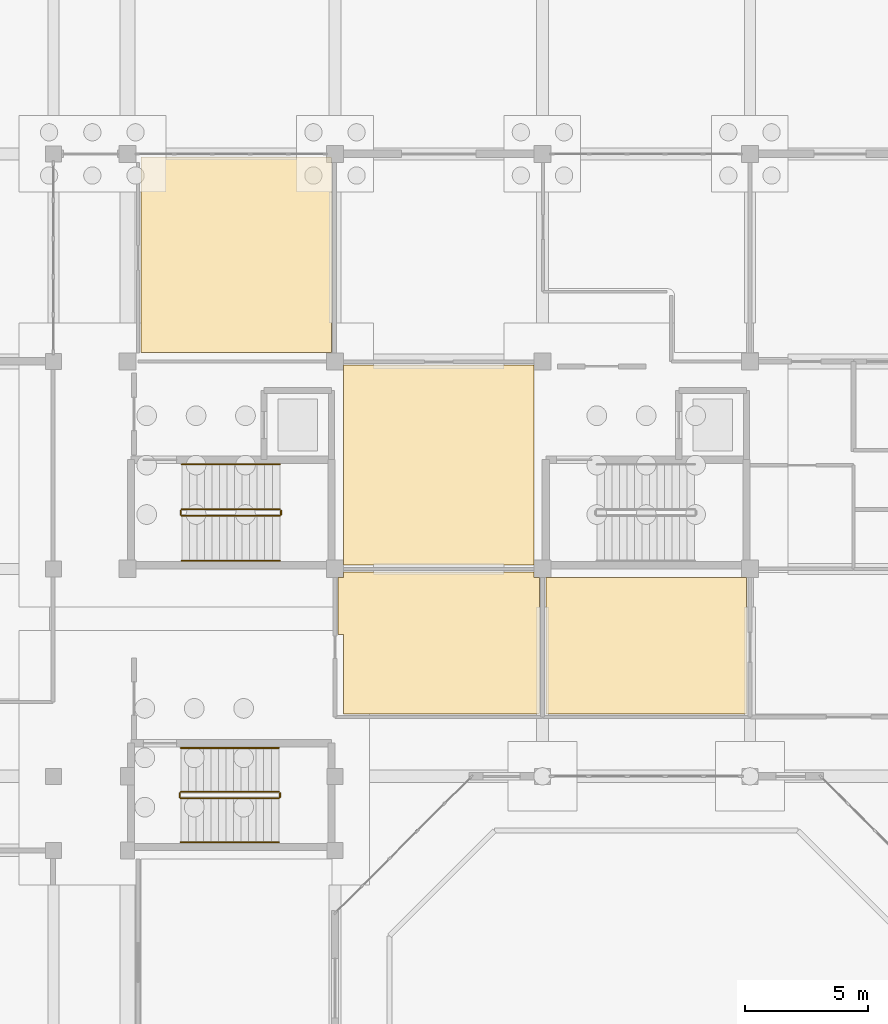
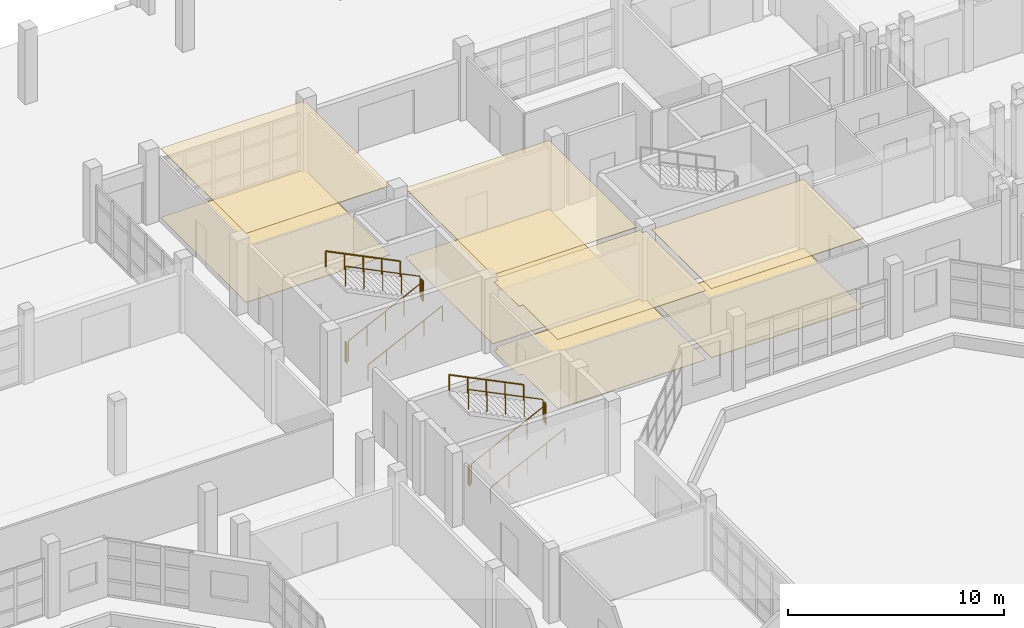
# One storey, part 83 of 88: 12 railings, 8 coverings.
"""IFC4 building model written with IfcOpenShell, lengths in metres."""

import ifcopenshell
import ifcopenshell.guid

model = None  # the IFC model being written
_history = None  # IfcOwnerHistory: only IFC2X3 demands one
_inside = {}  # id of a spatial element -> (the spatial element, [elements in it])
_under = {}  # id of a project, library or spatial element -> (it, [spatial elements below it])
_declared = {}  # id of a project -> (the project, [libraries it declares])
_typed = {}  # id of a type object -> (the type object, [elements of that type])
_made_of = {}  # id of a material, layer set ... -> (it, [elements and type objects made of it])


def new_model(schema):
    """Start an empty IFC model of exactly this schema.

    Asked for "IFC4X3", IfcOpenShell would pick the latest addendum, in which some entities
    have other attributes; the version numbers below select the first issue.
    IFC2X3 requires an IfcOwnerHistory on every rooted entity: one is made here for all.
    """
    global model, _history
    if schema == "IFC4X3":
        model = ifcopenshell.file(schema_version=(4, 3, 0, 0))
    else:
        model = ifcopenshell.file(schema=schema)
    _inside.clear()
    _under.clear()
    _declared.clear()
    _typed.clear()
    _made_of.clear()
    _history = None
    if model.schema == "IFC2X3":
        org = make("IfcOrganization", Name="unknown")
        user = make(
            "IfcPersonAndOrganization",
            ThePerson=make("IfcPerson", FamilyName="unknown"),
            TheOrganization=org,
        )
        app = make(
            "IfcApplication",
            ApplicationDeveloper=org,
            Version="unknown",
            ApplicationFullName="unknown",
            ApplicationIdentifier="unknown",
        )
        _history = make(
            "IfcOwnerHistory",
            OwningUser=user,
            OwningApplication=app,
            ChangeAction="ADDED",
            CreationDate=0,
        )
    return model


def make(cls, **values):
    """One entity of the class cls with the attributes given. An attribute that is None is left unset."""
    return model.create_entity(
        cls, **{name: value for name, value in values.items() if value is not None}
    )


def rooted(cls, **values):
    """An entity with a GlobalId (a new one), such as an element, a storey or a relation."""
    return make(cls, GlobalId=ifcopenshell.guid.new(), OwnerHistory=_history, **values)


def si_unit(unit_type, name, prefix=None):
    """IfcSIUnit, for example si_unit("LENGTHUNIT", "METRE", prefix="MILLI")."""
    return make("IfcSIUnit", UnitType=unit_type, Prefix=prefix, Name=name)


def assignment(units):
    """IfcUnitAssignment: the units of a project."""
    return None if units is None else make("IfcUnitAssignment", Units=units)


def point(xyz):
    """IfcCartesianPoint."""
    return None if xyz is None else make("IfcCartesianPoint", Coordinates=xyz)


def direction(xyz):
    """IfcDirection."""
    return None if xyz is None else make("IfcDirection", DirectionRatios=xyz)


def frame(location, z_axis=None, x_axis=None):
    """IfcAxis2Placement3D, a coordinate frame: its origin and axes. An axis left out is left unset."""
    return make(
        "IfcAxis2Placement3D",
        Location=point(location),
        Axis=direction(z_axis),
        RefDirection=direction(x_axis),
    )


def frame_2d(location, x_axis=None):
    """IfcAxis2Placement2D, a coordinate frame in the plane: its origin and x axis."""
    return make(
        "IfcAxis2Placement2D", Location=point(location), RefDirection=direction(x_axis)
    )


def origin():
    """The frame at (0, 0, 0) with its axes left unset."""
    return frame((0.0, 0.0, 0.0))


def origin_2d():
    """The frame at (0, 0) in the plane with its x axis left unset."""
    return frame_2d((0.0, 0.0))


def place(relative_to, where):
    """IfcLocalPlacement: puts the frame where relative to a parent placement (None: the world)."""
    return make(
        "IfcLocalPlacement", PlacementRelTo=relative_to, RelativePlacement=where
    )


def context(
    kind, dimensions, precision=None, world=None, true_north=None, identifier=None
):
    """IfcGeometricRepresentationContext, for example the 3D "Model" context."""
    return make(
        "IfcGeometricRepresentationContext",
        ContextIdentifier=identifier,
        ContextType=kind,
        CoordinateSpaceDimension=dimensions,
        Precision=precision,
        WorldCoordinateSystem=world,
        TrueNorth=true_north,
    )


def subcontext(parent, identifier, kind, view, scale=None):
    """IfcGeometricRepresentationSubContext, for example "Body" below "Model"."""
    return make(
        "IfcGeometricRepresentationSubContext",
        ContextIdentifier=identifier,
        ContextType=kind,
        ParentContext=parent,
        TargetScale=scale,
        TargetView=view,
    )


def project(units=None, contexts=None):
    """IfcProject with its units and contexts."""
    return rooted(
        "IfcProject",
        Name="project",
        RepresentationContexts=contexts,
        UnitsInContext=assignment(units),
    )


def spatial(cls, under=None, at=None, **own):
    """A site, building, storey or space (cls), placed at a placement, below another one or the project."""
    s = rooted(cls, ObjectPlacement=at, **own)
    if under is not None:
        _under.setdefault(under.id(), (under, []))[1].append(s)
    return s


def polyline(points):
    """IfcPolyline through the points."""
    return make("IfcPolyline", Points=[point(p) for p in points])


def profile(cls, at=None, kind="AREA", **sizes):
    """A parametric profile (cls). Its sizes go by their IFC names, for example OverallWidth=200.0."""
    return make(cls, ProfileType=kind, Position=at, **sizes)


def circle(**sizes):
    """IfcCircleProfileDef."""
    return profile("IfcCircleProfileDef", **sizes)


def outline(outer, holes=None, kind="AREA"):
    """IfcArbitraryClosedProfileDef: a profile drawn as a closed curve; with holes, ...WithVoids."""
    if holes is None:
        return make("IfcArbitraryClosedProfileDef", ProfileType=kind, OuterCurve=outer)
    return make(
        "IfcArbitraryProfileDefWithVoids",
        ProfileType=kind,
        OuterCurve=outer,
        InnerCurves=holes,
    )


def extrude(swept, where, along, depth):
    """IfcExtrudedAreaSolid: the profile swept, set in the frame where, extruded along a direction by depth."""
    return make(
        "IfcExtrudedAreaSolid",
        SweptArea=swept,
        Position=where,
        ExtrudedDirection=direction(along),
        Depth=depth,
    )


def shape(context_of_items, identifier, shape_type, items):
    """IfcShapeRepresentation: the items that make up one representation, for example the "Body"."""
    return make(
        "IfcShapeRepresentation",
        ContextOfItems=context_of_items,
        RepresentationIdentifier=identifier,
        RepresentationType=shape_type,
        Items=items,
    )


def material(Name=None, Category=None):
    """IfcMaterial."""
    return make("IfcMaterial", Name=Name, Category=Category)


def layer(
    of_material, thickness, ventilated=None, Name=None, Category=None, Priority=None
):
    """IfcMaterialLayer: one layer of a wall or slab, of a material (None: an air gap)."""
    return make(
        "IfcMaterialLayer",
        Material=of_material,
        LayerThickness=thickness,
        IsVentilated=ventilated,
        Name=Name,
        Category=Category,
        Priority=Priority,
    )


def layer_set(layers, Name=None):
    """IfcMaterialLayerSet."""
    return make("IfcMaterialLayerSet", MaterialLayers=layers, LayerSetName=Name)


def made_of(thing, what):
    """Note that an element or type object is made of a material, layer set ...; save() writes the relation."""
    if what is not None:
        _made_of.setdefault(what.id(), (what, []))[1].append(thing)
    return thing


def type_object(cls, material=None, **own):
    """A type object (cls), such as IfcWallType, which elements share."""
    return made_of(rooted(cls, **own), material)


def element(
    cls,
    number,
    at=None,
    inside=None,
    cuts=None,
    type_object=None,
    material=None,
    context=None,
    identifier="Body",
    shape_type=None,
    held_by="IfcProductDefinitionShape",
    body=None,
    shapes=None,
    **own,
):
    """One element of the class cls, such as IfcWall. Its Tag is "e" and its number.

    at: its placement. inside: the storey or other place that contains it. cuts: it is an
    opening in that element (IfcRelVoidsElement). A single representation is given by context,
    identifier, shape_type and body (its items); several are given by shapes. held_by: the class
    of the entity that holds the representations. save() writes the other relations.
    """
    e = rooted(cls, Tag="e%d" % number, ObjectPlacement=at, **own)
    if body is not None:
        shapes = [shape(context, identifier, shape_type, body)]
    if shapes is not None:
        e.Representation = make(held_by, Representations=shapes)
    if inside is not None:
        _inside.setdefault(inside.id(), (inside, []))[1].append(e)
    if cuts is not None:
        rooted(
            "IfcRelVoidsElement", RelatingBuildingElement=cuts, RelatedOpeningElement=e
        )
    if type_object is not None:
        _typed.setdefault(type_object.id(), (type_object, []))[1].append(e)
    return made_of(e, material)


def aggregate(whole, parts):
    """IfcRelAggregates: a whole, such as a stair, and the parts it consists of."""
    return rooted("IfcRelAggregates", RelatingObject=whole, RelatedObjects=parts)


def save(model, path):
    """Write the relations noted so far, then the file.

    IfcRelAggregates (storeys below a building ...), IfcRelContainedInSpatialStructure (elements
    in a storey), IfcRelDefinesByType, IfcRelAssociatesMaterial and IfcRelDeclares: one each for
    every whole, place, type object, material and project.
    """
    for whole, parts in _under.values():
        aggregate(whole, parts)
    for where, things in _inside.values():
        rooted(
            "IfcRelContainedInSpatialStructure",
            RelatedElements=things,
            RelatingStructure=where,
        )
    for kind, things in _typed.values():
        rooted("IfcRelDefinesByType", RelatedObjects=things, RelatingType=kind)
    for what, things in _made_of.values():
        rooted("IfcRelAssociatesMaterial", RelatedObjects=things, RelatingMaterial=what)
    for by, libraries in _declared.values():
        rooted("IfcRelDeclares", RelatingContext=by, RelatedDefinitions=libraries)
    model.write(path)


model = new_model("IFC4")

# Units and contexts
model_context = context("Model", 3, precision=1e-05, world=origin(), true_north=direction((0.0, 1.0)))
body_context = subcontext(model_context, "Body", "Model", "MODEL_VIEW")
ifc_project = project(units=[si_unit("LENGTHUNIT", "METRE"), si_unit("AREAUNIT", "SQUARE_METRE"), si_unit("VOLUMEUNIT", "CUBIC_METRE"), si_unit("PLANEANGLEUNIT", "RADIAN"), si_unit("MASSUNIT", "GRAM", prefix="KILO")], contexts=[model_context])

# Site, building, storey
site_placement = place(None, origin())
site = spatial("IfcSite", under=ifc_project, at=site_placement, CompositionType="ELEMENT")
building_placement = place(site_placement, origin())
building = spatial("IfcBuilding", under=site, at=building_placement, Name="Vanh Quang Courtyard School", CompositionType="ELEMENT")
storey_placement = place(building_placement, origin())
storey = spatial("IfcBuildingStorey", under=building, at=storey_placement, Name="L00", CompositionType="ELEMENT", Elevation=0.0)

# Coverings
ifc_material_1 = material(Name="Perforated mineral-fibre acoustic ceiling board")
ifc_layer_1 = layer(ifc_material_1, 0.02490234375)
ifc_layer_set_1 = layer_set([ifc_layer_1], Name="Perforated mineral-fibre acoustic ceiling board")
covering_type_1 = type_object("IfcCoveringType", Name="COV-CEIL-ACOUSTIC", PredefinedType="CEILING", material=ifc_layer_set_1)
covering_1_placement = place(storey_placement, frame((0.0, 0.0, 3.89501953125)))
element("IfcCovering", 1, at=covering_1_placement, inside=storey, type_object=covering_type_1, Name="Covering CV-CL1 (L00)", PredefinedType="CEILING", context=body_context, shape_type="SweptSolid", body=[
    extrude(outline(polyline([(77.949951171875, 96.4599609375), (77.949951171875, 96.4609375), (77.9501953125, 96.4619140625), (77.950439453125, 96.462890625), (77.95068359375, 96.4638671875), (77.951171875, 96.464599609375), (77.95166015625, 96.465576171875), (77.952392578125, 96.46630859375), (77.952880859375, 96.467041015625), (77.95361328125, 96.4677734375), (77.954345703125, 96.46826171875), (77.955322265625, 96.46875), (77.956298828125, 96.46923828125), (77.95703125, 96.469482421875), (77.9580078125, 96.4697265625), (77.958984375, 96.469970703125), (77.9599609375, 96.469970703125), (85.639892578125, 96.469970703125), (85.64111328125, 96.469970703125), (85.64208984375, 96.4697265625), (85.642822265625, 96.469482421875), (85.643798828125, 96.46923828125), (85.644775390625, 96.46875), (85.6455078125, 96.46826171875), (85.646240234375, 96.4677734375), (85.647216796875, 96.467041015625), (85.647705078125, 96.46630859375), (85.648193359375, 96.465576171875), (85.648681640625, 96.464599609375), (85.649169921875, 96.4638671875), (85.649658203125, 96.462890625), (85.64990234375, 96.4619140625), (85.64990234375, 96.4609375), (85.64990234375, 96.4599609375), (85.64990234375, 88.550048828125), (77.949951171875, 88.550048828125), (77.949951171875, 96.4599609375)])), origin(), (0.0, 0.0, 1.0), 0.02490234375),
])
covering_2_placement = place(storey_placement, frame((0.0, 0.0, 3.89501953125)))
element("IfcCovering", 2, at=covering_2_placement, inside=storey, type_object=covering_type_1, Name="Covering CV-CL1 (L00)", PredefinedType="CEILING", context=body_context, shape_type="SweptSolid", body=[
    extrude(outline(polyline([(85.929931640625, 79.449951171875), (86.14990234375, 79.449951171875), (86.14990234375, 79.669921875), (93.85009765625, 79.669921875), (93.85009765625, 79.449951171875), (94.070068359375, 79.449951171875), (94.070068359375, 73.93994140625), (94.070068359375, 73.93896484375), (94.06982421875, 73.93798828125), (94.069580078125, 73.93701171875), (94.069091796875, 73.936279296875), (94.06884765625, 73.935302734375), (94.068359375, 73.934326171875), (94.067626953125, 73.93359375), (94.067138671875, 73.932861328125), (94.06640625, 73.932373046875), (94.065673828125, 73.931640625), (94.064697265625, 73.93115234375), (94.063720703125, 73.930908203125), (94.06298828125, 73.930419921875), (94.06201171875, 73.93017578125), (94.06103515625, 73.929931640625), (94.06005859375, 73.929931640625), (86.14990234375, 73.929931640625), (86.14990234375, 77.14990234375), (85.929931640625, 77.14990234375), (85.929931640625, 79.449951171875)])), origin(), (0.0, 0.0, 1.0), 0.02490234375),
])
covering_3_placement = place(storey_placement, frame((0.0, 0.0, 3.89501953125)))
element("IfcCovering", 3, at=covering_3_placement, inside=storey, type_object=covering_type_1, Name="Covering CV-CL1 (L00)", PredefinedType="CEILING", context=body_context, shape_type="SweptSolid", body=[
    extrude(outline(polyline([(86.14990234375, 79.949951171875), (86.14990234375, 88.050048828125), (93.85009765625, 88.050048828125), (93.85009765625, 79.949951171875), (86.14990234375, 79.949951171875)])), origin(), (0.0, 0.0, 1.0), 0.02490234375),
])
covering_4_placement = place(storey_placement, frame((0.0, 0.0, 3.89501953125)))
element("IfcCovering", 4, at=covering_4_placement, inside=storey, type_object=covering_type_1, Name="Covering CV-CL1 (L00)", PredefinedType="CEILING", context=body_context, shape_type="SweptSolid", body=[
    extrude(outline(polyline([(94.360107421875, 73.929931640625), (94.35888671875, 73.929931640625), (94.35791015625, 73.93017578125), (94.357177734375, 73.930419921875), (94.356201171875, 73.930908203125), (94.355224609375, 73.93115234375), (94.3544921875, 73.931640625), (94.353759765625, 73.932373046875), (94.352783203125, 73.932861328125), (94.352294921875, 73.93359375), (94.351806640625, 73.934326171875), (94.351318359375, 73.935302734375), (94.350830078125, 73.936279296875), (94.350341796875, 73.93701171875), (94.35009765625, 73.93798828125), (94.35009765625, 73.93896484375), (94.35009765625, 73.93994140625), (94.35009765625, 79.449951171875), (102.469970703125, 79.449951171875), (102.469970703125, 73.93994140625), (102.469970703125, 73.93896484375), (102.4697265625, 73.93798828125), (102.469482421875, 73.93701171875), (102.46923828125, 73.936279296875), (102.46875, 73.935302734375), (102.46826171875, 73.934326171875), (102.4677734375, 73.93359375), (102.467041015625, 73.932861328125), (102.46630859375, 73.932373046875), (102.465576171875, 73.931640625), (102.464599609375, 73.93115234375), (102.4638671875, 73.930908203125), (102.462890625, 73.930419921875), (102.4619140625, 73.93017578125), (102.4609375, 73.929931640625), (102.4599609375, 73.929931640625), (94.360107421875, 73.929931640625)])), origin(), (0.0, 0.0, 1.0), 0.02490234375),
])
ifc_material_2 = material(Name="Polished cementitious terrazzo tile", Category="concrete")
ifc_layer_2 = layer(ifc_material_2, 0.02001953125)
ifc_layer_set_2 = layer_set([ifc_layer_2], Name="Polished cementitious terrazzo tile")
covering_type_2 = type_object("IfcCoveringType", Name="COV-FLR-TERRAZZO", PredefinedType="FLOORING", material=ifc_layer_set_2)
covering_5_placement = place(storey_placement, origin())
element("IfcCovering", 5, at=covering_5_placement, inside=storey, type_object=covering_type_2, Name="Covering CV-FL1 (L00)", PredefinedType="FLOORING", context=body_context, shape_type="SweptSolid", body=[
    extrude(outline(polyline([(77.949951171875, 96.4599609375), (77.949951171875, 96.4609375), (77.9501953125, 96.4619140625), (77.950439453125, 96.462890625), (77.95068359375, 96.4638671875), (77.951171875, 96.464599609375), (77.95166015625, 96.465576171875), (77.952392578125, 96.46630859375), (77.952880859375, 96.467041015625), (77.95361328125, 96.4677734375), (77.954345703125, 96.46826171875), (77.955322265625, 96.46875), (77.956298828125, 96.46923828125), (77.95703125, 96.469482421875), (77.9580078125, 96.4697265625), (77.958984375, 96.469970703125), (77.9599609375, 96.469970703125), (85.639892578125, 96.469970703125), (85.64111328125, 96.469970703125), (85.64208984375, 96.4697265625), (85.642822265625, 96.469482421875), (85.643798828125, 96.46923828125), (85.644775390625, 96.46875), (85.6455078125, 96.46826171875), (85.646240234375, 96.4677734375), (85.647216796875, 96.467041015625), (85.647705078125, 96.46630859375), (85.648193359375, 96.465576171875), (85.648681640625, 96.464599609375), (85.649169921875, 96.4638671875), (85.649658203125, 96.462890625), (85.64990234375, 96.4619140625), (85.64990234375, 96.4609375), (85.64990234375, 96.4599609375), (85.64990234375, 88.550048828125), (77.949951171875, 88.550048828125), (77.949951171875, 96.4599609375)])), origin(), (0.0, 0.0, 1.0), 0.02001953125),
])
covering_6_placement = place(storey_placement, origin())
element("IfcCovering", 6, at=covering_6_placement, inside=storey, type_object=covering_type_2, Name="Covering CV-FL1 (L00)", PredefinedType="FLOORING", context=body_context, shape_type="SweptSolid", body=[
    extrude(outline(polyline([(85.929931640625, 79.449951171875), (86.14990234375, 79.449951171875), (86.14990234375, 79.669921875), (93.85009765625, 79.669921875), (93.85009765625, 79.449951171875), (94.070068359375, 79.449951171875), (94.070068359375, 73.93994140625), (94.070068359375, 73.93896484375), (94.06982421875, 73.93798828125), (94.069580078125, 73.93701171875), (94.069091796875, 73.936279296875), (94.06884765625, 73.935302734375), (94.068359375, 73.934326171875), (94.067626953125, 73.93359375), (94.067138671875, 73.932861328125), (94.06640625, 73.932373046875), (94.065673828125, 73.931640625), (94.064697265625, 73.93115234375), (94.063720703125, 73.930908203125), (94.06298828125, 73.930419921875), (94.06201171875, 73.93017578125), (94.06103515625, 73.929931640625), (94.06005859375, 73.929931640625), (86.14990234375, 73.929931640625), (86.14990234375, 77.14990234375), (85.929931640625, 77.14990234375), (85.929931640625, 79.449951171875)])), origin(), (0.0, 0.0, 1.0), 0.02001953125),
])
covering_7_placement = place(storey_placement, origin())
element("IfcCovering", 7, at=covering_7_placement, inside=storey, type_object=covering_type_2, Name="Covering CV-FL1 (L00)", PredefinedType="FLOORING", context=body_context, shape_type="SweptSolid", body=[
    extrude(outline(polyline([(86.14990234375, 79.949951171875), (86.14990234375, 88.050048828125), (93.85009765625, 88.050048828125), (93.85009765625, 79.949951171875), (86.14990234375, 79.949951171875)])), origin(), (0.0, 0.0, 1.0), 0.02001953125),
])
covering_8_placement = place(storey_placement, origin())
element("IfcCovering", 8, at=covering_8_placement, inside=storey, type_object=covering_type_2, Name="Covering CV-FL1 (L00)", PredefinedType="FLOORING", context=body_context, shape_type="SweptSolid", body=[
    extrude(outline(polyline([(94.360107421875, 73.929931640625), (94.35888671875, 73.929931640625), (94.35791015625, 73.93017578125), (94.357177734375, 73.930419921875), (94.356201171875, 73.930908203125), (94.355224609375, 73.93115234375), (94.3544921875, 73.931640625), (94.353759765625, 73.932373046875), (94.352783203125, 73.932861328125), (94.352294921875, 73.93359375), (94.351806640625, 73.934326171875), (94.351318359375, 73.935302734375), (94.350830078125, 73.936279296875), (94.350341796875, 73.93701171875), (94.35009765625, 73.93798828125), (94.35009765625, 73.93896484375), (94.35009765625, 73.93994140625), (94.35009765625, 79.449951171875), (102.469970703125, 79.449951171875), (102.469970703125, 73.93994140625), (102.469970703125, 73.93896484375), (102.4697265625, 73.93798828125), (102.469482421875, 73.93701171875), (102.46923828125, 73.936279296875), (102.46875, 73.935302734375), (102.46826171875, 73.934326171875), (102.4677734375, 73.93359375), (102.467041015625, 73.932861328125), (102.46630859375, 73.932373046875), (102.465576171875, 73.931640625), (102.464599609375, 73.93115234375), (102.4638671875, 73.930908203125), (102.462890625, 73.930419921875), (102.4619140625, 73.93017578125), (102.4609375, 73.929931640625), (102.4599609375, 73.929931640625), (94.360107421875, 73.929931640625)])), origin(), (0.0, 0.0, 1.0), 0.02001953125),
])

# Railings
ifc_material_3 = material(Name="Galvanised painted steel EN 10025-2 S355J2", Category="steel")
railing_type_1 = type_object("IfcRailingType", Name="RAIL-GUARD-1150", PredefinedType="BALUSTRADE", material=ifc_material_3)
railing_1_placement = place(storey_placement, frame((79.60009765625, 81.949951171875, 0.14990234375)))
element("IfcRailing", 9, at=railing_1_placement, inside=storey, type_object=railing_type_1, Name="L00 ST-01 stair guard 1", PredefinedType="BALUSTRADE", context=body_context, shape_type="SweptSolid", body=[
    extrude(circle(Radius=0.02392578125, at=origin_2d()), frame((0.0, 0.0, 1.1259765625), z_axis=(0.897325572143, 0.0, 0.441369253096), x_axis=(0.0, 1.0, 0.0)), (0.0, 0.0, 1.0), 4.41845703125),
    extrude(circle(Radius=0.02099609375, at=origin_2d()), origin(), (0.0, 0.0, 1.0), 1.101806640625),
    extrude(circle(Radius=0.02099609375, at=origin_2d()), frame((0.9912109375, 0.0, 0.487548828125)), (0.0, 0.0, 1.0), 1.101806640625),
    extrude(circle(Radius=0.02099609375, at=origin_2d()), frame((1.982421875, 0.0, 0.97509765625)), (0.0, 0.0, 1.0), 1.101806640625),
    extrude(circle(Radius=0.02099609375, at=origin_2d()), frame((2.9736328125, 0.0, 1.462646484375)), (0.0, 0.0, 1.0), 1.101806640625),
    extrude(circle(Radius=0.02099609375, at=origin_2d()), frame((3.96484375, 0.0, 1.9501953125)), (0.0, 0.0, 1.0), 1.101806640625),
])
railing_2_placement = place(storey_placement, frame((83.614990234375, 82.0, 2.10009765625)))
element("IfcRailing", 10, at=railing_2_placement, inside=storey, type_object=railing_type_1, Name="L00 ST-01 stair guard 2", PredefinedType="BALUSTRADE", context=body_context, shape_type="SweptSolid", body=[
    extrude(circle(Radius=0.02392578125, at=origin_2d()), frame((0.0, 0.0, 1.1259765625), z_axis=(0.0, 1.0, 0.0), x_axis=(-1.0, 0.0, 0.0)), (0.0, 0.0, 1.0), 0.159912109375),
    extrude(circle(Radius=0.02099609375, at=origin_2d()), origin(), (0.0, 0.0, 1.0), 1.101806640625),
    extrude(circle(Radius=0.02099609375, at=origin_2d()), frame((0.0, 0.159912109375, 0.0)), (0.0, 0.0, 1.0), 1.101806640625),
])
railing_3_placement = place(storey_placement, frame((83.56494140625, 82.2099609375, 2.25)))
element("IfcRailing", 11, at=railing_3_placement, inside=storey, type_object=railing_type_1, Name="L00 ST-01 stair guard 3", PredefinedType="BALUSTRADE", context=body_context, shape_type="SweptSolid", body=[
    extrude(circle(Radius=0.02392578125, at=origin_2d()), frame((0.0, 0.0, 1.1259765625), z_axis=(-0.897347455041, 0.0, 0.441324761294), x_axis=(0.0, -1.0, 0.0)), (0.0, 0.0, 1.0), 4.41845703125),
    extrude(circle(Radius=0.02099609375, at=origin_2d()), origin(), (0.0, 0.0, 1.0), 1.101806640625),
    extrude(circle(Radius=0.02099609375, at=origin_2d()), frame((-0.9912109375, 0.0, 0.487548828125)), (0.0, 0.0, 1.0), 1.101806640625),
    extrude(circle(Radius=0.02099609375, at=origin_2d()), frame((-1.982421875, 0.0, 0.97509765625)), (0.0, 0.0, 1.0), 1.101806640625),
    extrude(circle(Radius=0.02099609375, at=origin_2d()), frame((-2.9736328125, 0.0, 1.46240234375)), (0.0, 0.0, 1.0), 1.101806640625),
    extrude(circle(Radius=0.02099609375, at=origin_2d()), frame((-3.96484375, 0.0, 1.949951171875)), (0.0, 0.0, 1.0), 1.101806640625),
])
railing_4_placement = place(storey_placement, frame((79.550048828125, 82.0, 0.0)))
element("IfcRailing", 12, at=railing_4_placement, inside=storey, type_object=railing_type_1, Name="L00 ST-01 stair guard 4", PredefinedType="BALUSTRADE", context=body_context, shape_type="SweptSolid", body=[
    extrude(circle(Radius=0.02392578125, at=origin_2d()), frame((0.0, 0.0, 1.1259765625), z_axis=(0.0, 1.0, 0.0), x_axis=(-1.0, 0.0, 0.0)), (0.0, 0.0, 1.0), 0.159912109375),
    extrude(circle(Radius=0.02099609375, at=origin_2d()), origin(), (0.0, 0.0, 1.0), 1.101806640625),
    extrude(circle(Radius=0.02099609375, at=origin_2d()), frame((0.0, 0.159912109375, 0.0)), (0.0, 0.0, 1.0), 1.101806640625),
])
railing_5_placement = place(storey_placement, frame((79.56005859375, 70.510009765625, 0.14990234375)))
element("IfcRailing", 13, at=railing_5_placement, inside=storey, type_object=railing_type_1, Name="L00 ST-05 stair guard 1", PredefinedType="BALUSTRADE", context=body_context, shape_type="SweptSolid", body=[
    extrude(circle(Radius=0.02392578125, at=origin_2d()), frame((0.0, 0.0, 1.1259765625), z_axis=(0.897325572143, 0.0, 0.441369253096), x_axis=(0.0, 1.0, 0.0)), (0.0, 0.0, 1.0), 4.41845703125),
    extrude(circle(Radius=0.02099609375, at=origin_2d()), origin(), (0.0, 0.0, 1.0), 1.101806640625),
    extrude(circle(Radius=0.02099609375, at=origin_2d()), frame((0.9912109375, 0.0, 0.487548828125)), (0.0, 0.0, 1.0), 1.101806640625),
    extrude(circle(Radius=0.02099609375, at=origin_2d()), frame((1.982421875, 0.0, 0.97509765625)), (0.0, 0.0, 1.0), 1.101806640625),
    extrude(circle(Radius=0.02099609375, at=origin_2d()), frame((2.9736328125, 0.0, 1.462646484375)), (0.0, 0.0, 1.0), 1.101806640625),
    extrude(circle(Radius=0.02099609375, at=origin_2d()), frame((3.96484375, 0.0, 1.9501953125)), (0.0, 0.0, 1.0), 1.101806640625),
])
railing_6_placement = place(storey_placement, frame((83.574951171875, 70.56005859375, 2.10009765625)))
element("IfcRailing", 14, at=railing_6_placement, inside=storey, type_object=railing_type_1, Name="L00 ST-05 stair guard 2", PredefinedType="BALUSTRADE", context=body_context, shape_type="SweptSolid", body=[
    extrude(circle(Radius=0.02392578125, at=origin_2d()), frame((0.0, 0.0, 1.1259765625), z_axis=(0.0, 1.0, 0.0), x_axis=(-1.0, 0.0, 0.0)), (0.0, 0.0, 1.0), 0.159912109375),
    extrude(circle(Radius=0.02099609375, at=origin_2d()), origin(), (0.0, 0.0, 1.0), 1.101806640625),
    extrude(circle(Radius=0.02099609375, at=origin_2d()), frame((0.0, 0.159912109375, 0.0)), (0.0, 0.0, 1.0), 1.101806640625),
])
railing_7_placement = place(storey_placement, frame((83.52490234375, 70.77001953125, 2.25)))
element("IfcRailing", 15, at=railing_7_placement, inside=storey, type_object=railing_type_1, Name="L00 ST-05 stair guard 3", PredefinedType="BALUSTRADE", context=body_context, shape_type="SweptSolid", body=[
    extrude(circle(Radius=0.02392578125, at=origin_2d()), frame((0.0, 0.0, 1.1259765625), z_axis=(-0.897347455041, 0.0, 0.441324761294), x_axis=(0.0, -1.0, 0.0)), (0.0, 0.0, 1.0), 4.41845703125),
    extrude(circle(Radius=0.02099609375, at=origin_2d()), origin(), (0.0, 0.0, 1.0), 1.101806640625),
    extrude(circle(Radius=0.02099609375, at=origin_2d()), frame((-0.9912109375, 0.0, 0.487548828125)), (0.0, 0.0, 1.0), 1.101806640625),
    extrude(circle(Radius=0.02099609375, at=origin_2d()), frame((-1.982421875, 0.0, 0.97509765625)), (0.0, 0.0, 1.0), 1.101806640625),
    extrude(circle(Radius=0.02099609375, at=origin_2d()), frame((-2.9736328125, 0.0, 1.46240234375)), (0.0, 0.0, 1.0), 1.101806640625),
    extrude(circle(Radius=0.02099609375, at=origin_2d()), frame((-3.96484375, 0.0, 1.949951171875)), (0.0, 0.0, 1.0), 1.101806640625),
])
railing_8_placement = place(storey_placement, frame((79.510009765625, 70.56005859375, 0.0)))
element("IfcRailing", 16, at=railing_8_placement, inside=storey, type_object=railing_type_1, Name="L00 ST-05 stair guard 4", PredefinedType="BALUSTRADE", context=body_context, shape_type="SweptSolid", body=[
    extrude(circle(Radius=0.02392578125, at=origin_2d()), frame((0.0, 0.0, 1.1259765625), z_axis=(0.0, 1.0, 0.0), x_axis=(-1.0, 0.0, 0.0)), (0.0, 0.0, 1.0), 0.159912109375),
    extrude(circle(Radius=0.02099609375, at=origin_2d()), origin(), (0.0, 0.0, 1.0), 1.101806640625),
    extrude(circle(Radius=0.02099609375, at=origin_2d()), frame((0.0, 0.159912109375, 0.0)), (0.0, 0.0, 1.0), 1.101806640625),
])
ifc_material_4 = material(Name="Brushed stainless steel", Category="steel")
railing_type_2 = type_object("IfcRailingType", Name="RAIL-HAND-900", PredefinedType="HANDRAIL", material=ifc_material_4)
railing_9_placement = place(storey_placement, frame((79.60009765625, 80.1298828125, 0.14990234375)))
element("IfcRailing", 17, at=railing_9_placement, inside=storey, type_object=railing_type_2, Name="L00 ST-01 stair handrail 1", PredefinedType="HANDRAIL", context=body_context, shape_type="SweptSolid", body=[
    extrude(circle(Radius=0.02392578125, at=origin_2d()), frame((0.0, 0.0, 0.8759765625), z_axis=(0.897325572143, 0.0, 0.441369253096), x_axis=(0.0, 1.0, 0.0)), (0.0, 0.0, 1.0), 4.41845703125),
    extrude(circle(Radius=0.02099609375, at=origin_2d()), origin(), (0.0, 0.0, 1.0), 0.851806640625),
    extrude(circle(Radius=0.02099609375, at=origin_2d()), frame((0.9912109375, 0.0, 0.487548828125)), (0.0, 0.0, 1.0), 0.851806640625),
    extrude(circle(Radius=0.02099609375, at=origin_2d()), frame((1.982421875, 0.0, 0.97509765625)), (0.0, 0.0, 1.0), 0.851806640625),
    extrude(circle(Radius=0.02099609375, at=origin_2d()), frame((2.9736328125, 0.0, 1.462646484375)), (0.0, 0.0, 1.0), 0.851806640625),
    extrude(circle(Radius=0.02099609375, at=origin_2d()), frame((3.96484375, 0.0, 1.9501953125)), (0.0, 0.0, 1.0), 0.851806640625),
])
railing_10_placement = place(storey_placement, frame((83.56494140625, 84.030029296875, 2.25)))
element("IfcRailing", 18, at=railing_10_placement, inside=storey, type_object=railing_type_2, Name="L00 ST-01 stair handrail 2", PredefinedType="HANDRAIL", context=body_context, shape_type="SweptSolid", body=[
    extrude(circle(Radius=0.02392578125, at=origin_2d()), frame((0.0, 0.0, 0.8759765625), z_axis=(-0.897347455041, 0.0, 0.441324761294), x_axis=(0.0, -1.0, 0.0)), (0.0, 0.0, 1.0), 4.41845703125),
    extrude(circle(Radius=0.02099609375, at=origin_2d()), origin(), (0.0, 0.0, 1.0), 0.851806640625),
    extrude(circle(Radius=0.02099609375, at=origin_2d()), frame((-0.9912109375, 0.0, 0.487548828125)), (0.0, 0.0, 1.0), 0.851806640625),
    extrude(circle(Radius=0.02099609375, at=origin_2d()), frame((-1.982421875, 0.0, 0.97509765625)), (0.0, 0.0, 1.0), 0.851806640625),
    extrude(circle(Radius=0.02099609375, at=origin_2d()), frame((-2.9736328125, 0.0, 1.46240234375)), (0.0, 0.0, 1.0), 0.851806640625),
    extrude(circle(Radius=0.02099609375, at=origin_2d()), frame((-3.96484375, 0.0, 1.949951171875)), (0.0, 0.0, 1.0), 0.851806640625),
])
railing_11_placement = place(storey_placement, frame((79.56005859375, 68.72998046875, 0.14990234375)))
element("IfcRailing", 19, at=railing_11_placement, inside=storey, type_object=railing_type_2, Name="L00 ST-05 stair handrail 1", PredefinedType="HANDRAIL", context=body_context, shape_type="SweptSolid", body=[
    extrude(circle(Radius=0.02392578125, at=origin_2d()), frame((0.0, 0.0, 0.8759765625), z_axis=(0.897325572143, 0.0, 0.441369253096), x_axis=(0.0, 1.0, 0.0)), (0.0, 0.0, 1.0), 4.41845703125),
    extrude(circle(Radius=0.02099609375, at=origin_2d()), origin(), (0.0, 0.0, 1.0), 0.851806640625),
    extrude(circle(Radius=0.02099609375, at=origin_2d()), frame((0.9912109375, 0.0, 0.487548828125)), (0.0, 0.0, 1.0), 0.851806640625),
    extrude(circle(Radius=0.02099609375, at=origin_2d()), frame((1.982421875, 0.0, 0.97509765625)), (0.0, 0.0, 1.0), 0.851806640625),
    extrude(circle(Radius=0.02099609375, at=origin_2d()), frame((2.9736328125, 0.0, 1.462646484375)), (0.0, 0.0, 1.0), 0.851806640625),
    extrude(circle(Radius=0.02099609375, at=origin_2d()), frame((3.96484375, 0.0, 1.9501953125)), (0.0, 0.0, 1.0), 0.851806640625),
])
railing_12_placement = place(storey_placement, frame((83.52490234375, 72.550048828125, 2.25)))
element("IfcRailing", 20, at=railing_12_placement, inside=storey, type_object=railing_type_2, Name="L00 ST-05 stair handrail 2", PredefinedType="HANDRAIL", context=body_context, shape_type="SweptSolid", body=[
    extrude(circle(Radius=0.02392578125, at=origin_2d()), frame((0.0, 0.0, 0.8759765625), z_axis=(-0.897347455041, 0.0, 0.441324761294), x_axis=(0.0, -1.0, 0.0)), (0.0, 0.0, 1.0), 4.41845703125),
    extrude(circle(Radius=0.02099609375, at=origin_2d()), origin(), (0.0, 0.0, 1.0), 0.851806640625),
    extrude(circle(Radius=0.02099609375, at=origin_2d()), frame((-0.9912109375, 0.0, 0.487548828125)), (0.0, 0.0, 1.0), 0.851806640625),
    extrude(circle(Radius=0.02099609375, at=origin_2d()), frame((-1.982421875, 0.0, 0.97509765625)), (0.0, 0.0, 1.0), 0.851806640625),
    extrude(circle(Radius=0.02099609375, at=origin_2d()), frame((-2.9736328125, 0.0, 1.46240234375)), (0.0, 0.0, 1.0), 0.851806640625),
    extrude(circle(Radius=0.02099609375, at=origin_2d()), frame((-3.96484375, 0.0, 1.949951171875)), (0.0, 0.0, 1.0), 0.851806640625),
])

save(model, "model.ifc")
